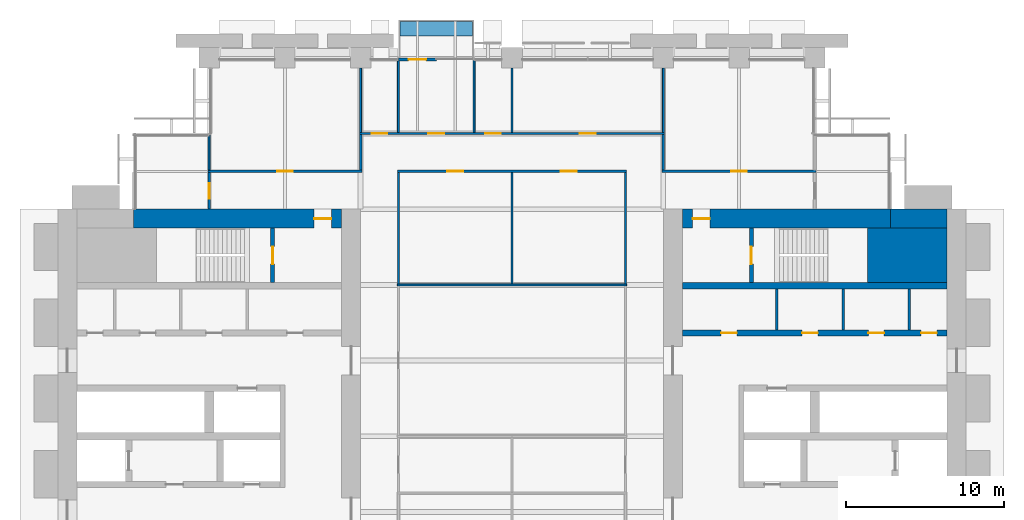
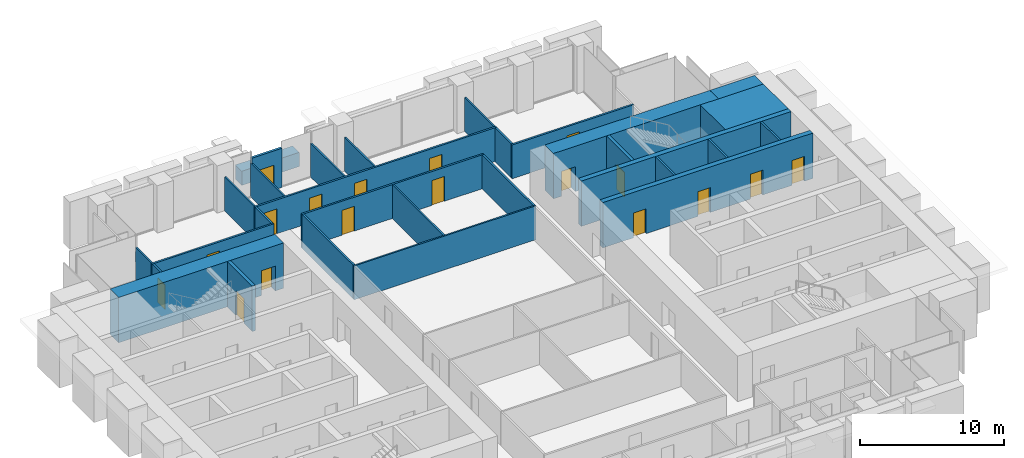
# One storey, part 12 of 15: 30 walls, 18 doors, 18 openings.
"""IFC4 building model written with IfcOpenShell, lengths in metres."""

from ifc_helpers import new_model, si_unit, direction, frame, frame_2d, origin, place, context, subcontext, project, spatial, rectangle, extrude, material, layer, layer_set, type_object, element, fill, save


model = new_model("IFC4")

# Units and contexts
model_context = context("Model", 3, precision=1e-05, world=origin(), true_north=direction((0.0, 1.0)))
body_context = subcontext(model_context, "Body", "Model", "MODEL_VIEW")
ifc_project = project(units=[si_unit("LENGTHUNIT", "METRE"), si_unit("AREAUNIT", "SQUARE_METRE"), si_unit("VOLUMEUNIT", "CUBIC_METRE"), si_unit("PLANEANGLEUNIT", "RADIAN"), si_unit("MASSUNIT", "GRAM", prefix="KILO")], contexts=[model_context])

# Site, building, storey
site_placement = place(None, origin())
site = spatial("IfcSite", under=ifc_project, at=site_placement, CompositionType="ELEMENT")
building_placement = place(site_placement, origin())
building = spatial("IfcBuilding", under=site, at=building_placement, Name="Baori Bourse Tower", CompositionType="ELEMENT")
storey_placement = place(building_placement, frame((0.0, 0.0, 47.0)))
storey = spatial("IfcBuildingStorey", under=building, at=storey_placement, Name="L09", CompositionType="ELEMENT", Elevation=47.0)

# Walls
ifc_material_1 = material(Name="Concrete f'c 70 MPa", Category="concrete")
wall_type_1 = type_object("IfcWallType", Name="Core corner block f'c 70", PredefinedType="SHEAR", material=ifc_material_1)
wall_1_placement = place(storey_placement, frame((51.35009765625, 35.47509765625, 0.0), z_axis=(0.0, 0.0, 1.0), x_axis=(1.0, 0.0, 0.0)))
element("IfcWall", 1, at=wall_1_placement, inside=storey, type_object=wall_type_1, Name="Core wall E22", PredefinedType="SHEAR", context=body_context, shape_type="SweptSolid", body=[
    extrude(rectangle(XDim=5.0498046875, YDim=3.449951171875, at=frame_2d((2.52490234375, 0.0))), origin(), (0.0, 0.0, 1.0), 3.840087890625),
])
ifc_material_2 = material(Name="Blockwork partition", Category="masonry")
ifc_layer_1 = layer(ifc_material_2, 0.14990234375)
ifc_layer_set_1 = layer_set([ifc_layer_1], Name="Core partition 150")
wall_type_2 = type_object("IfcWallType", Name="Core partition 150", PredefinedType="PARTITIONING", material=ifc_layer_set_1)
for number, where, z_axis, x_axis, name in (
    (2, (54.0, 30.75, 0.0), (0.0, 0.0, 1.0), (0.0, 1.0, 0.0), "Partition wall E18"),
    (3, (49.800048828125, 30.75, 0.0), (0.0, 0.0, 1.0), (0.0, 1.0, 0.0), "Partition wall E19"),
    (4, (45.60009765625, 30.75, 0.0), (0.0, 0.0, 1.0), (0.0, 1.0, 0.0), "Partition wall E20"),
):
    element("IfcWall", number, at=place(storey_placement, frame(where, z_axis=z_axis, x_axis=x_axis)), inside=storey, type_object=wall_type_2, Name=name, PredefinedType="PARTITIONING", context=body_context, shape_type="SweptSolid", body=[
        extrude(rectangle(XDim=2.60009765625, YDim=0.14990234375, at=frame_2d((1.300048828125, 0.0))), origin(), (0.0, 0.0, 1.0), 3.840087890625),
    ])

# Wall, opening, door
ifc_material_3 = material(Name="Concrete f'c 70 MPa", Category="concrete")
ifc_layer_2 = layer(ifc_material_3, 1.199951171875)
ifc_layer_set_2 = layer_set([ifc_layer_2], Name="Core wall 1200 f'c 70")
wall_type_3 = type_object("IfcWallType", Name="Core wall 1200 f'c 70", PredefinedType="SHEAR", material=ifc_layer_set_2)
wall_2_placement = place(storey_placement, frame((4.800048828125, 37.800048828125, 0.0), z_axis=(0.0, 0.0, 1.0), x_axis=(1.0, 0.0, 0.0)))
wall_2 = element("IfcWall", 5, at=wall_2_placement, inside=storey, type_object=wall_type_3, Name="Core wall W25", PredefinedType="SHEAR", context=body_context, shape_type="SweptSolid", body=[
    extrude(rectangle(XDim=13.199951171875, YDim=1.199951171875, at=frame_2d((6.60009765625, 0.0))), origin(), (0.0, 0.0, 1.0), 3.840087890625),
])
opening_1_placement = place(wall_2_placement, frame((11.449951171875, 0.0, 0.0)))
opening_1 = element("IfcOpeningElement", 6, at=opening_1_placement, cuts=wall_2, Name="Opening L09-D104", PredefinedType="OPENING", context=body_context, shape_type="SweptSolid", body=[
    extrude(rectangle(XDim=1.10009765625, YDim=2.10009765625, at=frame_2d((0.550048828125, 1.050048828125))), frame((0.0, 0.60986328125, 0.0), z_axis=(0.0, -1.0, 0.0), x_axis=(1.0, 0.0, 0.0)), (0.0, 0.0, 1.0), 1.219970703125),
])
ifc_material_4 = material(Name="Painted steel door", Category="steel")
door_type_1 = type_object("IfcDoorType", Name="Stair door 1100", OperationType="SINGLE_SWING_LEFT", PredefinedType="DOOR", material=ifc_material_4)
door_1_placement = place(opening_1_placement, origin())
door_1 = element("IfcDoor", 7, at=door_1_placement, inside=storey, type_object=door_type_1, Name="Stair vestibule door B W L09", OperationType="SINGLE_SWING_LEFT", OverallHeight=2.10009765625, OverallWidth=1.10009765625, PredefinedType="DOOR", context=body_context, shape_type="SweptSolid", body=[
    extrude(rectangle(XDim=1.10009765625, YDim=2.10009765625, at=frame_2d((0.550048828125, 1.050048828125))), frame((0.0, 0.02490234375, 0.0), z_axis=(0.0, -1.0, 0.0), x_axis=(1.0, 0.0, 0.0)), (0.0, 0.0, 1.0), 0.050048828125),
])
fill(opening_1, door_1)

# Wall
wall_3_placement = place(storey_placement, frame((52.800048828125, 37.800048828125, 0.0), z_axis=(0.0, 0.0, 1.0), x_axis=(1.0, 0.0, 0.0)))
element("IfcWall", 8, at=wall_3_placement, inside=storey, type_object=wall_type_3, Name="Core wall E24", PredefinedType="SHEAR", context=body_context, shape_type="SweptSolid", body=[
    extrude(rectangle(XDim=3.599853515625, YDim=1.199951171875, at=frame_2d((1.7998046875, 0.0))), origin(), (0.0, 0.0, 1.0), 3.840087890625),
])

# Wall, opening, door
wall_4_placement = place(storey_placement, frame((39.60009765625, 37.800048828125, 0.0), z_axis=(0.0, 0.0, 1.0), x_axis=(1.0, 0.0, 0.0)))
wall_4 = element("IfcWall", 9, at=wall_4_placement, inside=storey, type_object=wall_type_3, Name="Core wall E25", PredefinedType="SHEAR", context=body_context, shape_type="SweptSolid", body=[
    extrude(rectangle(XDim=13.199951171875, YDim=1.199951171875, at=frame_2d((6.60009765625, 0.0))), origin(), (0.0, 0.0, 1.0), 3.840087890625),
])
opening_2_placement = place(wall_4_placement, frame((0.64990234375, 0.0, 0.0)))
opening_2 = element("IfcOpeningElement", 10, at=opening_2_placement, cuts=wall_4, Name="Opening L09-D204", PredefinedType="OPENING", context=body_context, shape_type="SweptSolid", body=[
    extrude(rectangle(XDim=1.10009765625, YDim=2.10009765625, at=frame_2d((0.550048828125, 1.050048828125))), frame((0.0, 0.60986328125, 0.0), z_axis=(0.0, -1.0, 0.0), x_axis=(1.0, 0.0, 0.0)), (0.0, 0.0, 1.0), 1.219970703125),
])
door_2_placement = place(opening_2_placement, origin())
door_2 = element("IfcDoor", 11, at=door_2_placement, inside=storey, type_object=door_type_1, Name="Stair vestibule door B E L09", OperationType="SINGLE_SWING_LEFT", OverallHeight=2.10009765625, OverallWidth=1.10009765625, PredefinedType="DOOR", context=body_context, shape_type="SweptSolid", body=[
    extrude(rectangle(XDim=1.10009765625, YDim=2.10009765625, at=frame_2d((0.550048828125, 1.050048828125))), frame((0.0, 0.02490234375, 0.0), z_axis=(0.0, -1.0, 0.0), x_axis=(1.0, 0.0, 0.0)), (0.0, 0.0, 1.0), 0.050048828125),
])
fill(opening_2, door_2)

ifc_material_5 = material(Name="Gypsum board partition")
ifc_layer_3 = layer(ifc_material_5, 0.14990234375)
ifc_layer_set_3 = layer_set([ifc_layer_3], Name="Corridor partition 150")
wall_type_4 = type_object("IfcWallType", Name="Corridor partition 150", PredefinedType="PARTITIONING", material=ifc_layer_set_3)
wall_5_placement = place(storey_placement, frame((9.52490234375, 40.800048828125, 0.0), z_axis=(0.0, 0.0, 1.0), x_axis=(1.0, 0.0, 0.0)))
wall_5 = element("IfcWall", 12, at=wall_5_placement, inside=storey, type_object=wall_type_4, Name="Partition", PredefinedType="PARTITIONING", context=body_context, shape_type="SweptSolid", body=[
    extrude(rectangle(XDim=9.75, YDim=0.14990234375, at=frame_2d((4.875, 0.0))), origin(), (0.0, 0.0, 1.0), 2.86962890625),
])
opening_3_placement = place(wall_5_placement, frame((4.375, 0.0, 0.0)))
opening_3 = element("IfcOpeningElement", 13, at=opening_3_placement, cuts=wall_5, Name="Opening L09-D12", PredefinedType="OPENING", context=body_context, shape_type="SweptSolid", body=[
    extrude(rectangle(XDim=1.0, YDim=2.10009765625, at=frame_2d((0.5, 1.050048828125))), frame((0.0, 0.0849609375, 0.0), z_axis=(0.0, -1.0, 0.0), x_axis=(1.0, 0.0, 0.0)), (0.0, 0.0, 1.0), 0.169921875),
])
ifc_material_6 = material(Name="Timber door leaf", Category="wood")
door_type_2 = type_object("IfcDoorType", Name="Door 1000 x 2100", OperationType="SINGLE_SWING_LEFT", PredefinedType="DOOR", material=ifc_material_6)
door_3_placement = place(opening_3_placement, origin())
door_3 = element("IfcDoor", 14, at=door_3_placement, inside=storey, type_object=door_type_2, Name="Door", OperationType="SINGLE_SWING_LEFT", OverallHeight=2.10009765625, OverallWidth=1.0, PredefinedType="DOOR", context=body_context, shape_type="SweptSolid", body=[
    extrude(rectangle(XDim=1.0, YDim=2.10009765625, at=frame_2d((0.5, 1.050048828125))), frame((0.0, 0.02490234375, 0.0), z_axis=(0.0, -1.0, 0.0), x_axis=(1.0, 0.0, 0.0)), (0.0, 0.0, 1.0), 0.050048828125),
])
fill(opening_3, door_3)

# Wall, openings, doors
wall_6_placement = place(storey_placement, frame((21.52490234375, 40.800048828125, 0.0), z_axis=(0.0, 0.0, 1.0), x_axis=(1.0, 0.0, 0.0)))
wall_6 = element("IfcWall", 15, at=wall_6_placement, inside=storey, type_object=wall_type_4, Name="Partition", PredefinedType="PARTITIONING", context=body_context, shape_type="SweptSolid", body=[
    extrude(rectangle(XDim=14.550048828125, YDim=0.14990234375, at=frame_2d((7.27490234375, 0.0))), origin(), (0.0, 0.0, 1.0), 2.86962890625),
])
opening_4_placement = place(wall_6_placement, frame((3.175048828125, 0.0, 0.0)))
opening_4 = element("IfcOpeningElement", 16, at=opening_4_placement, cuts=wall_6, Name="Opening L09-D13", PredefinedType="OPENING", context=body_context, shape_type="SweptSolid", body=[
    extrude(rectangle(XDim=1.0, YDim=2.10009765625, at=frame_2d((0.5, 1.050048828125))), frame((0.0, 0.0849609375, 0.0), z_axis=(0.0, -1.0, 0.0), x_axis=(1.0, 0.0, 0.0)), (0.0, 0.0, 1.0), 0.169921875),
])
opening_5_placement = place(wall_6_placement, frame((10.375, 0.0, 0.0)))
opening_5 = element("IfcOpeningElement", 17, at=opening_5_placement, cuts=wall_6, Name="Opening L09-D14", PredefinedType="OPENING", context=body_context, shape_type="SweptSolid", body=[
    extrude(rectangle(XDim=1.0, YDim=2.10009765625, at=frame_2d((0.5, 1.050048828125))), frame((0.0, 0.0849609375, 0.0), z_axis=(0.0, -1.0, 0.0), x_axis=(1.0, 0.0, 0.0)), (0.0, 0.0, 1.0), 0.169921875),
])
door_4_placement = place(opening_4_placement, origin())
door_4 = element("IfcDoor", 18, at=door_4_placement, inside=storey, type_object=door_type_2, Name="Door", OperationType="SINGLE_SWING_LEFT", OverallHeight=2.10009765625, OverallWidth=1.0, PredefinedType="DOOR", context=body_context, shape_type="SweptSolid", body=[
    extrude(rectangle(XDim=1.0, YDim=2.10009765625, at=frame_2d((0.5, 1.050048828125))), frame((0.0, 0.02490234375, 0.0), z_axis=(0.0, -1.0, 0.0), x_axis=(1.0, 0.0, 0.0)), (0.0, 0.0, 1.0), 0.050048828125),
])
fill(opening_4, door_4)
door_5_placement = place(opening_5_placement, origin())
door_5 = element("IfcDoor", 19, at=door_5_placement, inside=storey, type_object=door_type_2, Name="Door", OperationType="SINGLE_SWING_RIGHT", OverallHeight=2.10009765625, OverallWidth=1.0, PredefinedType="DOOR", context=body_context, shape_type="SweptSolid", body=[
    extrude(rectangle(XDim=1.0, YDim=2.10009765625, at=frame_2d((0.5, 1.050048828125))), frame((0.0, 0.02490234375, 0.0), z_axis=(0.0, -1.0, 0.0), x_axis=(1.0, 0.0, 0.0)), (0.0, 0.0, 1.0), 0.050048828125),
])
fill(opening_5, door_5)

# Wall, opening, door
wall_7_placement = place(storey_placement, frame((38.324951171875, 40.800048828125, 0.0), z_axis=(0.0, 0.0, 1.0), x_axis=(1.0, 0.0, 0.0)))
wall_7 = element("IfcWall", 20, at=wall_7_placement, inside=storey, type_object=wall_type_4, Name="Partition", PredefinedType="PARTITIONING", context=body_context, shape_type="SweptSolid", body=[
    extrude(rectangle(XDim=9.75, YDim=0.14990234375, at=frame_2d((4.875, 0.0))), origin(), (0.0, 0.0, 1.0), 2.86962890625),
])
opening_6_placement = place(wall_7_placement, frame((4.375, 0.0, 0.0)))
opening_6 = element("IfcOpeningElement", 21, at=opening_6_placement, cuts=wall_7, Name="Opening L09-D15", PredefinedType="OPENING", context=body_context, shape_type="SweptSolid", body=[
    extrude(rectangle(XDim=1.0, YDim=2.10009765625, at=frame_2d((0.5, 1.050048828125))), frame((0.0, 0.0849609375, 0.0), z_axis=(0.0, -1.0, 0.0), x_axis=(1.0, 0.0, 0.0)), (0.0, 0.0, 1.0), 0.169921875),
])
door_6_placement = place(opening_6_placement, origin())
door_6 = element("IfcDoor", 22, at=door_6_placement, inside=storey, type_object=door_type_2, Name="Door", OperationType="SINGLE_SWING_RIGHT", OverallHeight=2.10009765625, OverallWidth=1.0, PredefinedType="DOOR", context=body_context, shape_type="SweptSolid", body=[
    extrude(rectangle(XDim=1.0, YDim=2.10009765625, at=frame_2d((0.5, 1.050048828125))), frame((0.0, 0.02490234375, 0.0), z_axis=(0.0, -1.0, 0.0), x_axis=(1.0, 0.0, 0.0)), (0.0, 0.0, 1.0), 0.050048828125),
])
fill(opening_6, door_6)

# Wall, openings, doors
wall_8_placement = place(storey_placement, frame((19.125, 43.199951171875, 0.0), z_axis=(0.0, 0.0, 1.0), x_axis=(1.0, 0.0, 0.0)))
wall_8 = element("IfcWall", 23, at=wall_8_placement, inside=storey, type_object=wall_type_4, Name="Partition", PredefinedType="PARTITIONING", context=body_context, shape_type="SweptSolid", body=[
    extrude(rectangle(XDim=19.35009765625, YDim=0.14990234375, at=frame_2d((9.675048828125, 0.0))), origin(), (0.0, 0.0, 1.0), 2.86962890625),
])
opening_7_placement = place(wall_8_placement, frame((0.77490234375, 0.0, 0.0)))
opening_7 = element("IfcOpeningElement", 24, at=opening_7_placement, cuts=wall_8, Name="Opening L09-D16", PredefinedType="OPENING", context=body_context, shape_type="SweptSolid", body=[
    extrude(rectangle(XDim=1.0, YDim=2.10009765625, at=frame_2d((0.5, 1.050048828125))), frame((0.0, 0.0849609375, 0.0), z_axis=(0.0, -1.0, 0.0), x_axis=(1.0, 0.0, 0.0)), (0.0, 0.0, 1.0), 0.169921875),
])
opening_8_placement = place(wall_8_placement, frame((4.375, 0.0, 0.0)))
opening_8 = element("IfcOpeningElement", 25, at=opening_8_placement, cuts=wall_8, Name="Opening L09-D17", PredefinedType="OPENING", context=body_context, shape_type="SweptSolid", body=[
    extrude(rectangle(XDim=1.0, YDim=2.10009765625, at=frame_2d((0.5, 1.050048828125))), frame((0.0, 0.0849609375, 0.0), z_axis=(0.0, -1.0, 0.0), x_axis=(1.0, 0.0, 0.0)), (0.0, 0.0, 1.0), 0.169921875),
])
opening_9_placement = place(wall_8_placement, frame((7.97509765625, 0.0, 0.0)))
opening_9 = element("IfcOpeningElement", 26, at=opening_9_placement, cuts=wall_8, Name="Opening L09-D18", PredefinedType="OPENING", context=body_context, shape_type="SweptSolid", body=[
    extrude(rectangle(XDim=1.0, YDim=2.10009765625, at=frame_2d((0.5, 1.050048828125))), frame((0.0, 0.0849609375, 0.0), z_axis=(0.0, -1.0, 0.0), x_axis=(1.0, 0.0, 0.0)), (0.0, 0.0, 1.0), 0.169921875),
])
opening_10_placement = place(wall_8_placement, frame((13.97509765625, 0.0, 0.0)))
opening_10 = element("IfcOpeningElement", 27, at=opening_10_placement, cuts=wall_8, Name="Opening L09-D19", PredefinedType="OPENING", context=body_context, shape_type="SweptSolid", body=[
    extrude(rectangle(XDim=1.0, YDim=2.10009765625, at=frame_2d((0.5, 1.050048828125))), frame((0.0, 0.0849609375, 0.0), z_axis=(0.0, -1.0, 0.0), x_axis=(1.0, 0.0, 0.0)), (0.0, 0.0, 1.0), 0.169921875),
])
door_7_placement = place(opening_7_placement, origin())
door_7 = element("IfcDoor", 28, at=door_7_placement, inside=storey, type_object=door_type_2, Name="Door", OperationType="SINGLE_SWING_RIGHT", OverallHeight=2.10009765625, OverallWidth=1.0, PredefinedType="DOOR", context=body_context, shape_type="SweptSolid", body=[
    extrude(rectangle(XDim=1.0, YDim=2.10009765625, at=frame_2d((0.5, 1.050048828125))), frame((0.0, 0.02490234375, 0.0), z_axis=(0.0, -1.0, 0.0), x_axis=(1.0, 0.0, 0.0)), (0.0, 0.0, 1.0), 0.050048828125),
])
fill(opening_7, door_7)
door_8_placement = place(opening_8_placement, origin())
door_8 = element("IfcDoor", 29, at=door_8_placement, inside=storey, type_object=door_type_2, Name="Door", OperationType="SINGLE_SWING_RIGHT", OverallHeight=2.10009765625, OverallWidth=1.0, PredefinedType="DOOR", context=body_context, shape_type="SweptSolid", body=[
    extrude(rectangle(XDim=1.0, YDim=2.10009765625, at=frame_2d((0.5, 1.050048828125))), frame((0.0, 0.02490234375, 0.0), z_axis=(0.0, -1.0, 0.0), x_axis=(1.0, 0.0, 0.0)), (0.0, 0.0, 1.0), 0.050048828125),
])
fill(opening_8, door_8)
door_9_placement = place(opening_9_placement, origin())
door_9 = element("IfcDoor", 30, at=door_9_placement, inside=storey, type_object=door_type_2, Name="Door", OperationType="SINGLE_SWING_RIGHT", OverallHeight=2.10009765625, OverallWidth=1.0, PredefinedType="DOOR", context=body_context, shape_type="SweptSolid", body=[
    extrude(rectangle(XDim=1.0, YDim=2.10009765625, at=frame_2d((0.5, 1.050048828125))), frame((0.0, 0.02490234375, 0.0), z_axis=(0.0, -1.0, 0.0), x_axis=(1.0, 0.0, 0.0)), (0.0, 0.0, 1.0), 0.050048828125),
])
fill(opening_9, door_9)
door_10_placement = place(opening_10_placement, origin())
door_10 = element("IfcDoor", 31, at=door_10_placement, inside=storey, type_object=door_type_2, Name="Door", OperationType="SINGLE_SWING_LEFT", OverallHeight=2.10009765625, OverallWidth=1.0, PredefinedType="DOOR", context=body_context, shape_type="SweptSolid", body=[
    extrude(rectangle(XDim=1.0, YDim=2.10009765625, at=frame_2d((0.5, 1.050048828125))), frame((0.0, 0.02490234375, 0.0), z_axis=(0.0, -1.0, 0.0), x_axis=(1.0, 0.0, 0.0)), (0.0, 0.0, 1.0), 0.050048828125),
])
fill(opening_10, door_10)

# Wall, opening, door
wall_9_placement = place(storey_placement, frame((9.60009765625, 38.39990234375, 0.0), z_axis=(0.0, 0.0, 1.0), x_axis=(0.0, 1.0, 0.0)))
wall_9 = element("IfcWall", 32, at=wall_9_placement, inside=storey, type_object=wall_type_4, Name="Partition", PredefinedType="PARTITIONING", context=body_context, shape_type="SweptSolid", body=[
    extrude(rectangle(XDim=2.3251953125, YDim=0.14990234375, at=frame_2d((1.16259765625, 0.0))), origin(), (0.0, 0.0, 1.0), 2.86962890625),
])
opening_11_placement = place(wall_9_placement, frame((0.66259765625, 0.0, 0.0)))
opening_11 = element("IfcOpeningElement", 33, at=opening_11_placement, cuts=wall_9, Name="Opening L09-D21", PredefinedType="OPENING", context=body_context, shape_type="SweptSolid", body=[
    extrude(rectangle(XDim=1.0, YDim=2.10009765625, at=frame_2d((0.5, 1.050048828125))), frame((0.0, 0.0849609375, 0.0), z_axis=(0.0, -1.0, 0.0), x_axis=(1.0, 0.0, 0.0)), (0.0, 0.0, 1.0), 0.169921875),
])
door_11_placement = place(opening_11_placement, origin())
door_11 = element("IfcDoor", 34, at=door_11_placement, inside=storey, type_object=door_type_2, Name="Door", OperationType="SINGLE_SWING_RIGHT", OverallHeight=2.10009765625, OverallWidth=1.0, PredefinedType="DOOR", context=body_context, shape_type="SweptSolid", body=[
    extrude(rectangle(XDim=1.0, YDim=2.10009765625, at=frame_2d((0.5, 1.050048828125))), frame((0.0, 0.02490234375, 0.0), z_axis=(0.0, -1.0, 0.0), x_axis=(1.0, 0.0, 0.0)), (0.0, 0.0, 1.0), 0.050048828125),
])
fill(opening_11, door_11)

# Walls
wall_10_placement = place(storey_placement, frame((19.199951171875, 40.875, 0.0), z_axis=(0.0, 0.0, 1.0), x_axis=(0.0, 1.0, 0.0)))
element("IfcWall", 35, at=wall_10_placement, inside=storey, type_object=wall_type_4, Name="Partition", PredefinedType="PARTITIONING", context=body_context, shape_type="SweptSolid", body=[
    extrude(rectangle(XDim=2.25, YDim=0.14990234375, at=frame_2d((1.125, 0.0))), origin(), (0.0, 0.0, 1.0), 2.86962890625),
])
for number, where, z_axis, x_axis, name in (
    (36, (21.60009765625, 33.66259765625, 0.0), (0.0, 0.0, 1.0), (0.0, 1.0, 0.0), "Partition"),
    (37, (36.0, 33.66259765625, 0.0), (0.0, 0.0, 1.0), (0.0, 1.0, 0.0), "Partition"),
):
    element("IfcWall", number, at=place(storey_placement, frame(where, z_axis=z_axis, x_axis=x_axis)), inside=storey, type_object=wall_type_4, Name=name, PredefinedType="PARTITIONING", context=body_context, shape_type="SweptSolid", body=[
        extrude(rectangle(XDim=7.0625, YDim=0.14990234375, at=frame_2d((3.53125, 0.0))), origin(), (0.0, 0.0, 1.0), 2.86962890625),
    ])
wall_11_placement = place(storey_placement, frame((38.39990234375, 40.875, 0.0), z_axis=(0.0, 0.0, 1.0), x_axis=(0.0, 1.0, 0.0)))
element("IfcWall", 38, at=wall_11_placement, inside=storey, type_object=wall_type_4, Name="Partition", PredefinedType="PARTITIONING", context=body_context, shape_type="SweptSolid", body=[
    extrude(rectangle(XDim=2.25, YDim=0.14990234375, at=frame_2d((1.125, 0.0))), origin(), (0.0, 0.0, 1.0), 2.86962890625),
])

# Wall, opening, door
ifc_material_7 = material(Name="Pale anodised aluminium", Category="aluminium")
ifc_layer_4 = layer(ifc_material_7, 0.199951171875)
ifc_layer_set_4 = layer_set([ifc_layer_4], Name="EW1 External wall bay")
wall_type_5 = type_object("IfcWallType", Name="EW1 External wall bay", PredefinedType="SOLIDWALL", material=ifc_layer_set_4)
wall_12_placement = place(storey_placement, frame((24.0, 47.89990234375, 0.0), z_axis=(0.0, 0.0, 1.0), x_axis=(-1.0, 0.0, 0.0)))
wall_12 = element("IfcWall", 39, at=wall_12_placement, inside=storey, type_object=wall_type_5, Name="External wall bay L09 1", PredefinedType="SOLIDWALL", context=body_context, shape_type="SweptSolid", body=[
    extrude(rectangle(XDim=2.39990234375, YDim=0.199951171875, at=frame_2d((1.199951171875, 0.0))), origin(), (0.0, 0.0, 1.0), 3.314208984375),
])
opening_12_placement = place(wall_12_placement, frame((0.64990234375, 0.0, 0.0)))
opening_12 = element("IfcOpeningElement", 40, at=opening_12_placement, cuts=wall_12, Name="Opening L09-D91", PredefinedType="OPENING", context=body_context, shape_type="SweptSolid", body=[
    extrude(rectangle(XDim=1.10009765625, YDim=2.10009765625, at=frame_2d((0.550048828125, 1.050048828125))), frame((0.0, 0.10986328125, 0.0), z_axis=(0.0, -1.0, 0.0), x_axis=(1.0, 0.0, 0.0)), (0.0, 0.0, 1.0), 0.219970703125),
])
ifc_material_8 = material(Name="Pale anodised aluminium", Category="aluminium")
door_type_3 = type_object("IfcDoorType", Name="BL1 Balcony door", OperationType="SINGLE_SWING_LEFT", PredefinedType="DOOR", material=ifc_material_8)
door_12_placement = place(opening_12_placement, origin())
door_12 = element("IfcDoor", 41, at=door_12_placement, inside=storey, type_object=door_type_3, Name="Balcony door L09 1", OperationType="SINGLE_SWING_LEFT", OverallHeight=2.10009765625, OverallWidth=1.10009765625, PredefinedType="DOOR", context=body_context, shape_type="SweptSolid", body=[
    extrude(rectangle(XDim=1.10009765625, YDim=2.10009765625, at=frame_2d((0.550048828125, 1.050048828125))), frame((0.0, 0.02490234375, 0.0), z_axis=(0.0, -1.0, 0.0), x_axis=(1.0, 0.0, 0.0)), (0.0, 0.0, 1.0), 0.050048828125),
])
fill(opening_12, door_12)

# Walls
ifc_material_9 = material(Name="Concrete f'c 40 MPa", Category="concrete")
ifc_layer_5 = layer(ifc_material_9, 0.89990234375)
ifc_layer_set_5 = layer_set([ifc_layer_5], Name="PW1 Planter wall")
wall_type_6 = type_object("IfcWallType", Name="PW1 Planter wall", PredefinedType="USERDEFINED", material=ifc_layer_set_5)
wall_13_placement = place(storey_placement, frame((21.699951171875, 49.85009765625, 0.0), z_axis=(0.0, 0.0, 1.0), x_axis=(1.0, 0.0, 0.0)))
element("IfcWall", 42, at=wall_13_placement, inside=storey, type_object=wall_type_6, Name="Planter balcony N L09 2", ObjectType="PLANTER", PredefinedType="USERDEFINED", context=body_context, shape_type="SweptSolid", body=[
    extrude(rectangle(XDim=4.60009765625, YDim=0.89990234375, at=frame_2d((2.300048828125, 0.0))), origin(), (0.0, 0.0, 1.0), 1.199951171875),
])
ifc_material_10 = material(Name="Gypsum board partition")
ifc_layer_6 = layer(ifc_material_10, 0.125)
ifc_layer_set_6 = layer_set([ifc_layer_6], Name="Partition 125")
wall_type_7 = type_object("IfcWallType", Name="Partition 125", PredefinedType="PARTITIONING", material=ifc_layer_set_6)
wall_14_placement = place(storey_placement, frame((21.52490234375, 33.60009765625, 0.0), z_axis=(0.0, 0.0, 1.0), x_axis=(1.0, 0.0, 0.0)))
element("IfcWall", 43, at=wall_14_placement, inside=storey, type_object=wall_type_7, Name="Partition", PredefinedType="PARTITIONING", context=body_context, shape_type="SweptSolid", body=[
    extrude(rectangle(XDim=14.550048828125, YDim=0.125, at=frame_2d((7.27490234375, 0.0))), origin(), (0.0, 0.0, 1.0), 2.86962890625),
])
wall_15_placement = place(storey_placement, frame((9.60009765625, 40.875, 0.0), z_axis=(0.0, 0.0, 1.0), x_axis=(0.0, 1.0, 0.0)))
element("IfcWall", 44, at=wall_15_placement, inside=storey, type_object=wall_type_7, Name="Partition", PredefinedType="PARTITIONING", context=body_context, shape_type="SweptSolid", body=[
    extrude(rectangle(XDim=2.22509765625, YDim=0.125, at=frame_2d((1.112548828125, 0.0))), origin(), (0.0, 0.0, 1.0), 2.86962890625),
])
wall_16_placement = place(storey_placement, frame((19.199951171875, 43.27490234375, 0.0), z_axis=(0.0, 0.0, 1.0), x_axis=(0.0, 1.0, 0.0)))
element("IfcWall", 45, at=wall_16_placement, inside=storey, type_object=wall_type_7, Name="Partition", PredefinedType="PARTITIONING", context=body_context, shape_type="SweptSolid", body=[
    extrude(rectangle(XDim=4.0751953125, YDim=0.125, at=frame_2d((2.03759765625, 0.0))), origin(), (0.0, 0.0, 1.0), 2.86962890625),
])
for number, where, z_axis, x_axis, name in (
    (46, (21.60009765625, 43.27490234375, 0.0), (0.0, 0.0, 1.0), (0.0, 1.0, 0.0), "Partition"),
    (47, (26.39990234375, 43.27490234375, 0.0), (0.0, 0.0, 1.0), (0.0, 1.0, 0.0), "Partition"),
):
    element("IfcWall", number, at=place(storey_placement, frame(where, z_axis=z_axis, x_axis=x_axis)), inside=storey, type_object=wall_type_7, Name=name, PredefinedType="PARTITIONING", context=body_context, shape_type="SweptSolid", body=[
        extrude(rectangle(XDim=4.625, YDim=0.125, at=frame_2d((2.3125, 0.0))), origin(), (0.0, 0.0, 1.0), 2.86962890625),
    ])
wall_17_placement = place(storey_placement, frame((28.800048828125, 33.66259765625, 0.0), z_axis=(0.0, 0.0, 1.0), x_axis=(0.0, 1.0, 0.0)))
element("IfcWall", 48, at=wall_17_placement, inside=storey, type_object=wall_type_7, Name="Partition", PredefinedType="PARTITIONING", context=body_context, shape_type="SweptSolid", body=[
    extrude(rectangle(XDim=7.0625, YDim=0.125, at=frame_2d((3.53125, 0.0))), origin(), (0.0, 0.0, 1.0), 2.86962890625),
])
for number, where, z_axis, x_axis, name in (
    (49, (28.800048828125, 43.27490234375, 0.0), (0.0, 0.0, 1.0), (0.0, 1.0, 0.0), "Partition"),
    (50, (38.39990234375, 43.27490234375, 0.0), (0.0, 0.0, 1.0), (0.0, 1.0, 0.0), "Partition"),
):
    element("IfcWall", number, at=place(storey_placement, frame(where, z_axis=z_axis, x_axis=x_axis)), inside=storey, type_object=wall_type_7, Name=name, PredefinedType="PARTITIONING", context=body_context, shape_type="SweptSolid", body=[
        extrude(rectangle(XDim=4.0751953125, YDim=0.125, at=frame_2d((2.03759765625, 0.0))), origin(), (0.0, 0.0, 1.0), 2.86962890625),
    ])

# Wall, opening, door
ifc_material_11 = material(Name="Concrete f'c 70 MPa", Category="concrete")
ifc_layer_7 = layer(ifc_material_11, 0.25)
ifc_layer_set_7 = layer_set([ifc_layer_7], Name="Shaft wall 250 f'c 70")
wall_type_8 = type_object("IfcWallType", Name="Shaft wall 250 f'c 70", PredefinedType="SHEAR", material=ifc_layer_set_7)
wall_18_placement = place(storey_placement, frame((13.625, 33.75, 0.0), z_axis=(0.0, 0.0, 1.0), x_axis=(0.0, 1.0, 0.0)))
wall_18 = element("IfcWall", 51, at=wall_18_placement, inside=storey, type_object=wall_type_8, Name="Core wall W23", PredefinedType="SHEAR", context=body_context, shape_type="SweptSolid", body=[
    extrude(rectangle(XDim=3.449951171875, YDim=0.25, at=frame_2d((1.72509765625, 0.0))), origin(), (0.0, 0.0, 1.0), 3.840087890625),
])
opening_13_placement = place(wall_18_placement, frame((1.175048828125, 0.0, 0.0)))
opening_13 = element("IfcOpeningElement", 52, at=opening_13_placement, cuts=wall_18, Name="Opening L09-D103", PredefinedType="OPENING", context=body_context, shape_type="SweptSolid", body=[
    extrude(rectangle(XDim=1.10009765625, YDim=2.10009765625, at=frame_2d((0.550048828125, 1.050048828125))), frame((0.0, 0.135009765625, 0.0), z_axis=(0.0, -1.0, 0.0), x_axis=(1.0, 0.0, 0.0)), (0.0, 0.0, 1.0), 0.27001953125),
])
door_13_placement = place(opening_13_placement, origin())
door_13 = element("IfcDoor", 53, at=door_13_placement, inside=storey, type_object=door_type_1, Name="Stair door B W L09", OperationType="SINGLE_SWING_LEFT", OverallHeight=2.10009765625, OverallWidth=1.10009765625, PredefinedType="DOOR", context=body_context, shape_type="SweptSolid", body=[
    extrude(rectangle(XDim=1.10009765625, YDim=2.10009765625, at=frame_2d((0.550048828125, 1.050048828125))), frame((0.0, 0.02490234375, 0.0), z_axis=(0.0, -1.0, 0.0), x_axis=(1.0, 0.0, 0.0)), (0.0, 0.0, 1.0), 0.050048828125),
])
fill(opening_13, door_13)

wall_19_placement = place(storey_placement, frame((43.97509765625, 33.75, 0.0), z_axis=(0.0, 0.0, 1.0), x_axis=(0.0, 1.0, 0.0)))
wall_19 = element("IfcWall", 54, at=wall_19_placement, inside=storey, type_object=wall_type_8, Name="Core wall E23", PredefinedType="SHEAR", context=body_context, shape_type="SweptSolid", body=[
    extrude(rectangle(XDim=3.449951171875, YDim=0.25, at=frame_2d((1.72509765625, 0.0))), origin(), (0.0, 0.0, 1.0), 3.840087890625),
])
opening_14_placement = place(wall_19_placement, frame((1.175048828125, 0.0, 0.0)))
opening_14 = element("IfcOpeningElement", 55, at=opening_14_placement, cuts=wall_19, Name="Opening L09-D203", PredefinedType="OPENING", context=body_context, shape_type="SweptSolid", body=[
    extrude(rectangle(XDim=1.10009765625, YDim=2.10009765625, at=frame_2d((0.550048828125, 1.050048828125))), frame((0.0, 0.135009765625, 0.0), z_axis=(0.0, -1.0, 0.0), x_axis=(1.0, 0.0, 0.0)), (0.0, 0.0, 1.0), 0.27001953125),
])
door_14_placement = place(opening_14_placement, origin())
door_14 = element("IfcDoor", 56, at=door_14_placement, inside=storey, type_object=door_type_1, Name="Stair door B E L09", OperationType="SINGLE_SWING_LEFT", OverallHeight=2.10009765625, OverallWidth=1.10009765625, PredefinedType="DOOR", context=body_context, shape_type="SweptSolid", body=[
    extrude(rectangle(XDim=1.10009765625, YDim=2.10009765625, at=frame_2d((0.550048828125, 1.050048828125))), frame((0.0, 0.02490234375, 0.0), z_axis=(0.0, -1.0, 0.0), x_axis=(1.0, 0.0, 0.0)), (0.0, 0.0, 1.0), 0.050048828125),
])
fill(opening_14, door_14)

# Wall, openings, doors
ifc_material_12 = material(Name="Concrete f'c 70 MPa", Category="concrete")
ifc_layer_8 = layer(ifc_material_12, 0.39990234375)
ifc_layer_set_8 = layer_set([ifc_layer_8], Name="Shaft wall 400 f'c 70")
wall_type_9 = type_object("IfcWallType", Name="Shaft wall 400 f'c 70", PredefinedType="SHEAR", material=ifc_layer_set_8)
wall_20_placement = place(storey_placement, frame((39.60009765625, 30.550048828125, 0.0), z_axis=(0.0, 0.0, 1.0), x_axis=(1.0, 0.0, 0.0)))
wall_20 = element("IfcWall", 57, at=wall_20_placement, inside=storey, type_object=wall_type_9, Name="Core wall E17", PredefinedType="SHEAR", context=body_context, shape_type="SweptSolid", body=[
    extrude(rectangle(XDim=16.7998046875, YDim=0.39990234375, at=frame_2d((8.39990234375, 0.0))), origin(), (0.0, 0.0, 1.0), 3.840087890625),
])
opening_15_placement = place(wall_20_placement, frame((15.137451171875, 0.0, 0.0)))
opening_15 = element("IfcOpeningElement", 58, at=opening_15_placement, cuts=wall_20, Name="Opening L09-D209", PredefinedType="OPENING", context=body_context, shape_type="SweptSolid", body=[
    extrude(rectangle(XDim=1.0, YDim=2.10009765625, at=frame_2d((0.5, 1.050048828125))), frame((0.0, 0.2099609375, 0.0), z_axis=(0.0, -1.0, 0.0), x_axis=(1.0, 0.0, 0.0)), (0.0, 0.0, 1.0), 0.419921875),
])
opening_16_placement = place(wall_20_placement, frame((11.800048828125, 0.0, 0.0)))
opening_16 = element("IfcOpeningElement", 59, at=opening_16_placement, cuts=wall_20, Name="Opening L09-D210", PredefinedType="OPENING", context=body_context, shape_type="SweptSolid", body=[
    extrude(rectangle(XDim=1.0, YDim=2.10009765625, at=frame_2d((0.5, 1.050048828125))), frame((0.0, 0.2099609375, 0.0), z_axis=(0.0, -1.0, 0.0), x_axis=(1.0, 0.0, 0.0)), (0.0, 0.0, 1.0), 0.419921875),
])
opening_17_placement = place(wall_20_placement, frame((7.60009765625, 0.0, 0.0)))
opening_17 = element("IfcOpeningElement", 60, at=opening_17_placement, cuts=wall_20, Name="Opening L09-D211", PredefinedType="OPENING", context=body_context, shape_type="SweptSolid", body=[
    extrude(rectangle(XDim=1.0, YDim=2.10009765625, at=frame_2d((0.5, 1.050048828125))), frame((0.0, 0.2099609375, 0.0), z_axis=(0.0, -1.0, 0.0), x_axis=(1.0, 0.0, 0.0)), (0.0, 0.0, 1.0), 0.419921875),
])
opening_18_placement = place(wall_20_placement, frame((2.46240234375, 0.0, 0.0)))
opening_18 = element("IfcOpeningElement", 61, at=opening_18_placement, cuts=wall_20, Name="Opening L09-D212", PredefinedType="OPENING", context=body_context, shape_type="SweptSolid", body=[
    extrude(rectangle(XDim=1.0, YDim=2.10009765625, at=frame_2d((0.5, 1.050048828125))), frame((0.0, 0.2099609375, 0.0), z_axis=(0.0, -1.0, 0.0), x_axis=(1.0, 0.0, 0.0)), (0.0, 0.0, 1.0), 0.419921875),
])
ifc_material_13 = material(Name="Painted steel door", Category="steel")
door_type_4 = type_object("IfcDoorType", Name="Core door 1000", OperationType="SINGLE_SWING_LEFT", PredefinedType="DOOR", material=ifc_material_13)
door_15_placement = place(opening_15_placement, origin())
door_15 = element("IfcDoor", 62, at=door_15_placement, inside=storey, type_object=door_type_4, Name="Janitor'S Closet door E L09", OperationType="SINGLE_SWING_LEFT", OverallHeight=2.10009765625, OverallWidth=1.0, PredefinedType="DOOR", context=body_context, shape_type="SweptSolid", body=[
    extrude(rectangle(XDim=1.0, YDim=2.10009765625, at=frame_2d((0.5, 1.050048828125))), frame((0.0, 0.02490234375, 0.0), z_axis=(0.0, -1.0, 0.0), x_axis=(1.0, 0.0, 0.0)), (0.0, 0.0, 1.0), 0.050048828125),
])
fill(opening_15, door_15)
door_16_placement = place(opening_16_placement, origin())
door_16 = element("IfcDoor", 63, at=door_16_placement, inside=storey, type_object=door_type_4, Name="Women'S Wc door E L09", OperationType="SINGLE_SWING_LEFT", OverallHeight=2.10009765625, OverallWidth=1.0, PredefinedType="DOOR", context=body_context, shape_type="SweptSolid", body=[
    extrude(rectangle(XDim=1.0, YDim=2.10009765625, at=frame_2d((0.5, 1.050048828125))), frame((0.0, 0.02490234375, 0.0), z_axis=(0.0, -1.0, 0.0), x_axis=(1.0, 0.0, 0.0)), (0.0, 0.0, 1.0), 0.050048828125),
])
fill(opening_16, door_16)
door_17_placement = place(opening_17_placement, origin())
door_17 = element("IfcDoor", 64, at=door_17_placement, inside=storey, type_object=door_type_4, Name="Accessible Wc door E L09", OperationType="SINGLE_SWING_LEFT", OverallHeight=2.10009765625, OverallWidth=1.0, PredefinedType="DOOR", context=body_context, shape_type="SweptSolid", body=[
    extrude(rectangle(XDim=1.0, YDim=2.10009765625, at=frame_2d((0.5, 1.050048828125))), frame((0.0, 0.02490234375, 0.0), z_axis=(0.0, -1.0, 0.0), x_axis=(1.0, 0.0, 0.0)), (0.0, 0.0, 1.0), 0.050048828125),
])
fill(opening_17, door_17)
door_18_placement = place(opening_18_placement, origin())
door_18 = element("IfcDoor", 65, at=door_18_placement, inside=storey, type_object=door_type_4, Name="Men'S Wc door E L09", OperationType="SINGLE_SWING_LEFT", OverallHeight=2.10009765625, OverallWidth=1.0, PredefinedType="DOOR", context=body_context, shape_type="SweptSolid", body=[
    extrude(rectangle(XDim=1.0, YDim=2.10009765625, at=frame_2d((0.5, 1.050048828125))), frame((0.0, 0.02490234375, 0.0), z_axis=(0.0, -1.0, 0.0), x_axis=(1.0, 0.0, 0.0)), (0.0, 0.0, 1.0), 0.050048828125),
])
fill(opening_18, door_18)

# Wall
wall_21_placement = place(storey_placement, frame((39.60009765625, 33.550048828125, 0.0), z_axis=(0.0, 0.0, 1.0), x_axis=(1.0, 0.0, 0.0)))
element("IfcWall", 66, at=wall_21_placement, inside=storey, type_object=wall_type_9, Name="Core wall E21", PredefinedType="SHEAR", context=body_context, shape_type="SweptSolid", body=[
    extrude(rectangle(XDim=16.7998046875, YDim=0.39990234375, at=frame_2d((8.39990234375, 0.0))), origin(), (0.0, 0.0, 1.0), 3.840087890625),
])

save(model, "model.ifc")
